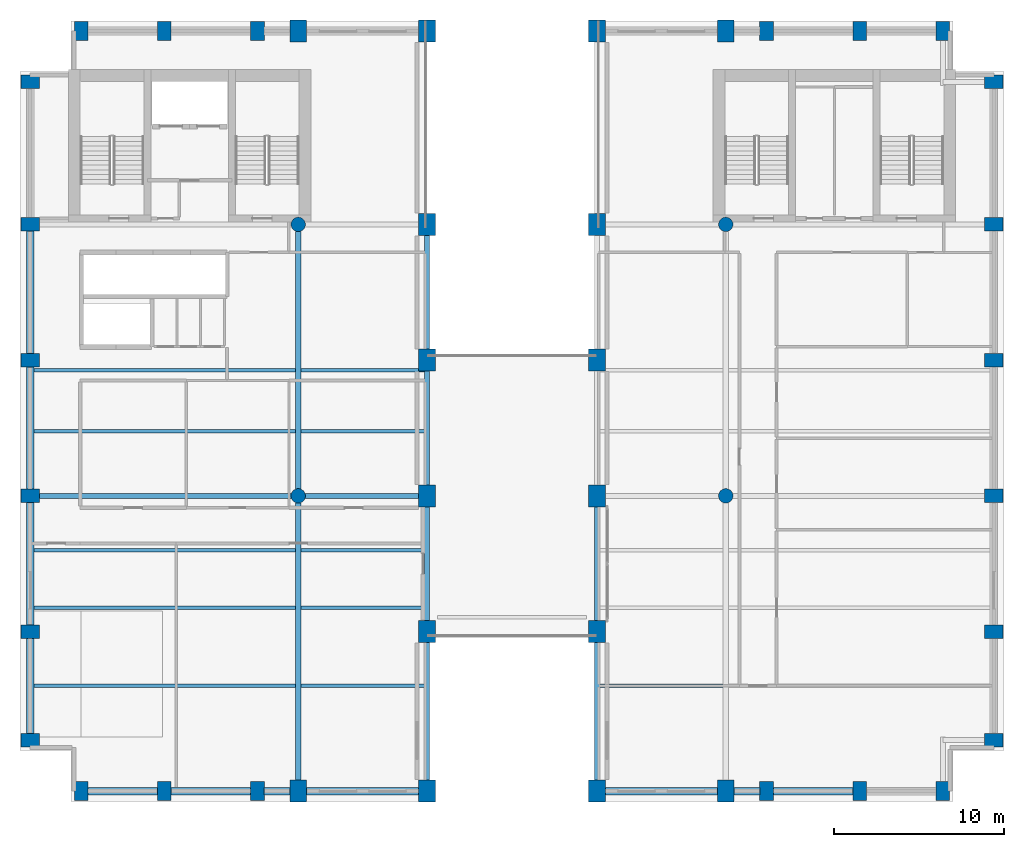
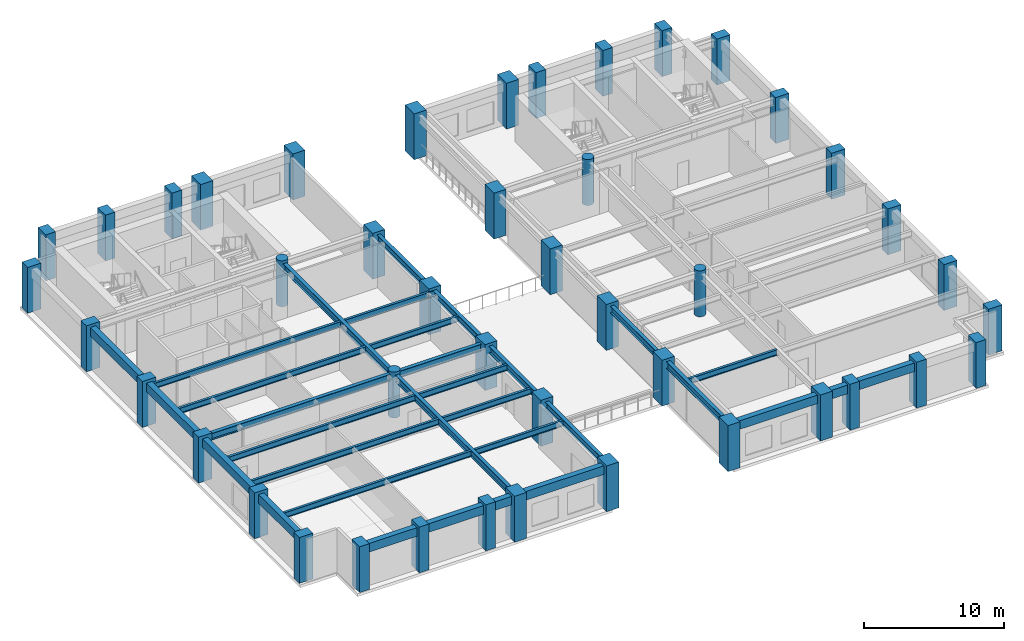
# One storey, part 1 of 10: 44 columns, 29 beams.
"""IFC4 building model written with IfcOpenShell, lengths in metres."""

import ifcopenshell
import ifcopenshell.guid

model = None  # the IFC model being written
_history = None  # IfcOwnerHistory: only IFC2X3 demands one
_inside = {}  # id of a spatial element -> (the spatial element, [elements in it])
_under = {}  # id of a project, library or spatial element -> (it, [spatial elements below it])
_declared = {}  # id of a project -> (the project, [libraries it declares])
_typed = {}  # id of a type object -> (the type object, [elements of that type])
_made_of = {}  # id of a material, layer set ... -> (it, [elements and type objects made of it])


def new_model(schema):
    """Start an empty IFC model of exactly this schema.

    Asked for "IFC4X3", IfcOpenShell would pick the latest addendum, in which some entities
    have other attributes; the version numbers below select the first issue.
    IFC2X3 requires an IfcOwnerHistory on every rooted entity: one is made here for all.
    """
    global model, _history
    if schema == "IFC4X3":
        model = ifcopenshell.file(schema_version=(4, 3, 0, 0))
    else:
        model = ifcopenshell.file(schema=schema)
    _inside.clear()
    _under.clear()
    _declared.clear()
    _typed.clear()
    _made_of.clear()
    _history = None
    if model.schema == "IFC2X3":
        org = make("IfcOrganization", Name="unknown")
        user = make(
            "IfcPersonAndOrganization",
            ThePerson=make("IfcPerson", FamilyName="unknown"),
            TheOrganization=org,
        )
        app = make(
            "IfcApplication",
            ApplicationDeveloper=org,
            Version="unknown",
            ApplicationFullName="unknown",
            ApplicationIdentifier="unknown",
        )
        _history = make(
            "IfcOwnerHistory",
            OwningUser=user,
            OwningApplication=app,
            ChangeAction="ADDED",
            CreationDate=0,
        )
    return model


def make(cls, **values):
    """One entity of the class cls with the attributes given. An attribute that is None is left unset."""
    return model.create_entity(
        cls, **{name: value for name, value in values.items() if value is not None}
    )


def rooted(cls, **values):
    """An entity with a GlobalId (a new one), such as an element, a storey or a relation."""
    return make(cls, GlobalId=ifcopenshell.guid.new(), OwnerHistory=_history, **values)


def si_unit(unit_type, name, prefix=None):
    """IfcSIUnit, for example si_unit("LENGTHUNIT", "METRE", prefix="MILLI")."""
    return make("IfcSIUnit", UnitType=unit_type, Prefix=prefix, Name=name)


def assignment(units):
    """IfcUnitAssignment: the units of a project."""
    return None if units is None else make("IfcUnitAssignment", Units=units)


def point(xyz):
    """IfcCartesianPoint."""
    return None if xyz is None else make("IfcCartesianPoint", Coordinates=xyz)


def direction(xyz):
    """IfcDirection."""
    return None if xyz is None else make("IfcDirection", DirectionRatios=xyz)


def frame(location, z_axis=None, x_axis=None):
    """IfcAxis2Placement3D, a coordinate frame: its origin and axes. An axis left out is left unset."""
    return make(
        "IfcAxis2Placement3D",
        Location=point(location),
        Axis=direction(z_axis),
        RefDirection=direction(x_axis),
    )


def frame_2d(location, x_axis=None):
    """IfcAxis2Placement2D, a coordinate frame in the plane: its origin and x axis."""
    return make(
        "IfcAxis2Placement2D", Location=point(location), RefDirection=direction(x_axis)
    )


def origin():
    """The frame at (0, 0, 0) with its axes left unset."""
    return frame((0.0, 0.0, 0.0))


def origin_2d():
    """The frame at (0, 0) in the plane with its x axis left unset."""
    return frame_2d((0.0, 0.0))


def place(relative_to, where):
    """IfcLocalPlacement: puts the frame where relative to a parent placement (None: the world)."""
    return make(
        "IfcLocalPlacement", PlacementRelTo=relative_to, RelativePlacement=where
    )


def context(
    kind, dimensions, precision=None, world=None, true_north=None, identifier=None
):
    """IfcGeometricRepresentationContext, for example the 3D "Model" context."""
    return make(
        "IfcGeometricRepresentationContext",
        ContextIdentifier=identifier,
        ContextType=kind,
        CoordinateSpaceDimension=dimensions,
        Precision=precision,
        WorldCoordinateSystem=world,
        TrueNorth=true_north,
    )


def subcontext(parent, identifier, kind, view, scale=None):
    """IfcGeometricRepresentationSubContext, for example "Body" below "Model"."""
    return make(
        "IfcGeometricRepresentationSubContext",
        ContextIdentifier=identifier,
        ContextType=kind,
        ParentContext=parent,
        TargetScale=scale,
        TargetView=view,
    )


def project(units=None, contexts=None):
    """IfcProject with its units and contexts."""
    return rooted(
        "IfcProject",
        Name="project",
        RepresentationContexts=contexts,
        UnitsInContext=assignment(units),
    )


def spatial(cls, under=None, at=None, **own):
    """A site, building, storey or space (cls), placed at a placement, below another one or the project."""
    s = rooted(cls, ObjectPlacement=at, **own)
    if under is not None:
        _under.setdefault(under.id(), (under, []))[1].append(s)
    return s


def profile(cls, at=None, kind="AREA", **sizes):
    """A parametric profile (cls). Its sizes go by their IFC names, for example OverallWidth=200.0."""
    return make(cls, ProfileType=kind, Position=at, **sizes)


def rectangle(**sizes):
    """IfcRectangleProfileDef."""
    return profile("IfcRectangleProfileDef", **sizes)


def circle(**sizes):
    """IfcCircleProfileDef."""
    return profile("IfcCircleProfileDef", **sizes)


def i_section(**sizes):
    """IfcIShapeProfileDef."""
    return profile("IfcIShapeProfileDef", **sizes)


def extrude(swept, where, along, depth):
    """IfcExtrudedAreaSolid: the profile swept, set in the frame where, extruded along a direction by depth."""
    return make(
        "IfcExtrudedAreaSolid",
        SweptArea=swept,
        Position=where,
        ExtrudedDirection=direction(along),
        Depth=depth,
    )


def shape(context_of_items, identifier, shape_type, items):
    """IfcShapeRepresentation: the items that make up one representation, for example the "Body"."""
    return make(
        "IfcShapeRepresentation",
        ContextOfItems=context_of_items,
        RepresentationIdentifier=identifier,
        RepresentationType=shape_type,
        Items=items,
    )


def material(Name=None, Category=None):
    """IfcMaterial."""
    return make("IfcMaterial", Name=Name, Category=Category)


def material_profile(
    of_material, cross_section, Name=None, Category=None, Priority=None
):
    """IfcMaterialProfile: a cross section and its material."""
    return make(
        "IfcMaterialProfile",
        Name=Name,
        Material=of_material,
        Profile=cross_section,
        Priority=Priority,
        Category=Category,
    )


def profile_set(profiles, Name=None, composite=None):
    """IfcMaterialProfileSet."""
    return make(
        "IfcMaterialProfileSet",
        Name=Name,
        MaterialProfiles=profiles,
        CompositeProfile=composite,
    )


def made_of(thing, what):
    """Note that an element or type object is made of a material, layer set ...; save() writes the relation."""
    if what is not None:
        _made_of.setdefault(what.id(), (what, []))[1].append(thing)
    return thing


def type_object(cls, material=None, **own):
    """A type object (cls), such as IfcWallType, which elements share."""
    return made_of(rooted(cls, **own), material)


def element(
    cls,
    number,
    at=None,
    inside=None,
    cuts=None,
    type_object=None,
    material=None,
    context=None,
    identifier="Body",
    shape_type=None,
    held_by="IfcProductDefinitionShape",
    body=None,
    shapes=None,
    **own,
):
    """One element of the class cls, such as IfcWall. Its Tag is "e" and its number.

    at: its placement. inside: the storey or other place that contains it. cuts: it is an
    opening in that element (IfcRelVoidsElement). A single representation is given by context,
    identifier, shape_type and body (its items); several are given by shapes. held_by: the class
    of the entity that holds the representations. save() writes the other relations.
    """
    e = rooted(cls, Tag="e%d" % number, ObjectPlacement=at, **own)
    if body is not None:
        shapes = [shape(context, identifier, shape_type, body)]
    if shapes is not None:
        e.Representation = make(held_by, Representations=shapes)
    if inside is not None:
        _inside.setdefault(inside.id(), (inside, []))[1].append(e)
    if cuts is not None:
        rooted(
            "IfcRelVoidsElement", RelatingBuildingElement=cuts, RelatedOpeningElement=e
        )
    if type_object is not None:
        _typed.setdefault(type_object.id(), (type_object, []))[1].append(e)
    return made_of(e, material)


def aggregate(whole, parts):
    """IfcRelAggregates: a whole, such as a stair, and the parts it consists of."""
    return rooted("IfcRelAggregates", RelatingObject=whole, RelatedObjects=parts)


def save(model, path):
    """Write the relations noted so far, then the file.

    IfcRelAggregates (storeys below a building ...), IfcRelContainedInSpatialStructure (elements
    in a storey), IfcRelDefinesByType, IfcRelAssociatesMaterial and IfcRelDeclares: one each for
    every whole, place, type object, material and project.
    """
    for whole, parts in _under.values():
        aggregate(whole, parts)
    for where, things in _inside.values():
        rooted(
            "IfcRelContainedInSpatialStructure",
            RelatedElements=things,
            RelatingStructure=where,
        )
    for kind, things in _typed.values():
        rooted("IfcRelDefinesByType", RelatedObjects=things, RelatingType=kind)
    for what, things in _made_of.values():
        rooted("IfcRelAssociatesMaterial", RelatedObjects=things, RelatingMaterial=what)
    for by, libraries in _declared.values():
        rooted("IfcRelDeclares", RelatingContext=by, RelatedDefinitions=libraries)
    model.write(path)


model = new_model("IFC4")

# Units and contexts
model_context = context("Model", 3, precision=1e-05, world=origin(), true_north=direction((0.0, 1.0)))
body_context = subcontext(model_context, "Body", "Model", "MODEL_VIEW")
ifc_project = project(units=[si_unit("LENGTHUNIT", "METRE"), si_unit("AREAUNIT", "SQUARE_METRE"), si_unit("VOLUMEUNIT", "CUBIC_METRE"), si_unit("PLANEANGLEUNIT", "RADIAN"), si_unit("MASSUNIT", "GRAM", prefix="KILO")], contexts=[model_context])

# Site, building, storey
site_placement = place(None, origin())
site = spatial("IfcSite", under=ifc_project, at=site_placement, CompositionType="ELEMENT")
building_placement = place(site_placement, origin())
building = spatial("IfcBuilding", under=site, at=building_placement, Name="Sulina Concourse Tower", CompositionType="ELEMENT")
storey_placement = place(building_placement, frame((0.0, 0.0, 182.60009765625)))
storey = spatial("IfcBuildingStorey", under=building, at=storey_placement, Name="L44", CompositionType="ELEMENT", Elevation=182.60009765625)

# Columns
ifc_material_1 = material(Name="Precast concrete C60/75", Category="concrete")
ifc_material_profile_1 = material_profile(ifc_material_1, rectangle(XDim=0.800048828125, YDim=1.10009765625, at=origin_2d()), Name="PC 800x1100")
ifc_profile_set_1 = profile_set([ifc_material_profile_1], Name="Precast concrete C60/75")
column_type_1 = type_object("IfcColumnType", Name="Precast Tube Pier Zone 3 800x1100", PredefinedType="COLUMN", material=ifc_profile_set_1)
for number, where, z_axis, x_axis, name in (
    (1, (3.60009765625, 0.60009765625, 0.0), (0.0, 0.0, 1.0), (1.0, 0.0, 0.0), "L44 structural column TP-S-36"),
    (2, (3.60009765625, 45.39990234375, 0.0), (0.0, 0.0, 1.0), (1.0, 0.0, 0.0), "L44 structural column TP-N-36"),
    (3, (8.5, 0.60009765625, 0.0), (0.0, 0.0, 1.0), (1.0, 0.0, 0.0), "L44 structural column TP-S-85"),
    (4, (8.5, 45.39990234375, 0.0), (0.0, 0.0, 1.0), (1.0, 0.0, 0.0), "L44 structural column TP-N-85"),
    (5, (14.0, 0.60009765625, 0.0), (0.0, 0.0, 1.0), (1.0, 0.0, 0.0), "L44 structural column TP-S-140"),
    (6, (14.0, 45.39990234375, 0.0), (0.0, 0.0, 1.0), (1.0, 0.0, 0.0), "L44 structural column TP-N-140"),
    (7, (44.0, 0.60009765625, 0.0), (0.0, 0.0, 1.0), (1.0, 0.0, 0.0), "L44 structural column TP-S-440"),
    (8, (44.0, 45.39990234375, 0.0), (0.0, 0.0, 1.0), (1.0, 0.0, 0.0), "L44 structural column TP-N-440"),
    (9, (49.5, 0.60009765625, 0.0), (0.0, 0.0, 1.0), (1.0, 0.0, 0.0), "L44 structural column TP-S-495"),
    (10, (49.5, 45.39990234375, 0.0), (0.0, 0.0, 1.0), (1.0, 0.0, 0.0), "L44 structural column TP-N-495"),
    (11, (54.39990234375, 0.60009765625, 0.0), (0.0, 0.0, 1.0), (1.0, 0.0, 0.0), "L44 structural column TP-S-544"),
    (12, (54.39990234375, 45.39990234375, 0.0), (0.0, 0.0, 1.0), (1.0, 0.0, 0.0), "L44 structural column TP-N-544"),
    (13, (0.60009765625, 3.60009765625, 0.0), (0.0, 0.0, 1.0), (0.0, 1.0, 0.0), "L44 structural column TP-W-36"),
    (14, (57.39990234375, 3.60009765625, 0.0), (0.0, 0.0, 1.0), (0.0, 1.0, 0.0), "L44 structural column TP-E-36"),
    (15, (0.60009765625, 10.0, 0.0), (0.0, 0.0, 1.0), (0.0, 1.0, 0.0), "L44 structural column TP-W-100"),
    (16, (57.39990234375, 10.0, 0.0), (0.0, 0.0, 1.0), (0.0, 1.0, 0.0), "L44 structural column TP-E-100"),
    (17, (0.60009765625, 18.0, 0.0), (0.0, 0.0, 1.0), (0.0, 1.0, 0.0), "L44 structural column TP-W-180"),
    (18, (57.39990234375, 18.0, 0.0), (0.0, 0.0, 1.0), (0.0, 1.0, 0.0), "L44 structural column TP-E-180"),
    (19, (0.60009765625, 26.0, 0.0), (0.0, 0.0, 1.0), (0.0, 1.0, 0.0), "L44 structural column TP-W-260"),
    (20, (57.39990234375, 26.0, 0.0), (0.0, 0.0, 1.0), (0.0, 1.0, 0.0), "L44 structural column TP-E-260"),
    (21, (0.60009765625, 34.0, 0.0), (0.0, 0.0, 1.0), (0.0, 1.0, 0.0), "L44 structural column TP-W-340"),
    (22, (57.39990234375, 34.0, 0.0), (0.0, 0.0, 1.0), (0.0, 1.0, 0.0), "L44 structural column TP-E-340"),
    (23, (0.60009765625, 42.39990234375, 0.0), (0.0, 0.0, 1.0), (0.0, 1.0, 0.0), "L44 structural column TP-W-424"),
    (24, (57.39990234375, 42.39990234375, 0.0), (0.0, 0.0, 1.0), (0.0, 1.0, 0.0), "L44 structural column TP-E-424"),
):
    element("IfcColumn", number, at=place(storey_placement, frame(where, z_axis=z_axis, x_axis=x_axis)), inside=storey, type_object=column_type_1, Name=name, PredefinedType="COLUMN", context=body_context, shape_type="SweptSolid", body=[
        extrude(rectangle(XDim=0.800048828125, YDim=1.10009765625, at=origin_2d()), origin(), (0.0, 0.0, 1.0), 4.0),
    ])
ifc_material_2 = material(Name="Concrete C50/60", Category="concrete")
ifc_material_profile_2 = material_profile(ifc_material_2, circle(Radius=0.425048828125, at=origin_2d()), Name="RC D850")
ifc_profile_set_2 = profile_set([ifc_material_profile_2], Name="Concrete C50/60")
column_type_2 = type_object("IfcColumnType", Name="Upper Interior Circular Column D850", PredefinedType="COLUMN", material=ifc_profile_set_2)
for number, where, z_axis, x_axis, name in (
    (25, (16.39990234375, 18.0, 0.0), (0.0, 0.0, 1.0), (1.0, 0.0, 0.0), "L44 structural column IC-M-164"),
    (26, (16.39990234375, 34.0, 0.0), (0.0, 0.0, 1.0), (1.0, 0.0, 0.0), "L44 structural column IC-N-164"),
    (27, (41.60009765625, 18.0, 0.0), (0.0, 0.0, 1.0), (1.0, 0.0, 0.0), "L44 structural column IC-M-416"),
    (28, (41.60009765625, 34.0, 0.0), (0.0, 0.0, 1.0), (1.0, 0.0, 0.0), "L44 structural column IC-N-416"),
):
    element("IfcColumn", number, at=place(storey_placement, frame(where, z_axis=z_axis, x_axis=x_axis)), inside=storey, type_object=column_type_2, Name=name, PredefinedType="COLUMN", context=body_context, shape_type="SweptSolid", body=[
        extrude(circle(Radius=0.425048828125, at=origin_2d()), origin(), (0.0, 0.0, 1.0), 4.0),
    ])
ifc_material_3 = material(Name="Concrete C60/75", Category="concrete")
ifc_material_profile_3 = material_profile(ifc_material_3, rectangle(XDim=1.0, YDim=1.300048828125, at=origin_2d()), Name="RC 1000x1300")
ifc_profile_set_3 = profile_set([ifc_material_profile_3], Name="Concrete C60/75")
column_type_3 = type_object("IfcColumnType", Name="Upper Portal Column 1000x1300", PredefinedType="COLUMN", material=ifc_profile_set_3)
for number, where, z_axis, x_axis, name in (
    (29, (16.39990234375, 0.60009765625, 0.0), (0.0, 0.0, 1.0), (1.0, 0.0, 0.0), "L44 structural column TP-S-164"),
    (30, (16.39990234375, 45.39990234375, 0.0), (0.0, 0.0, 1.0), (1.0, 0.0, 0.0), "L44 structural column TP-N-164"),
    (31, (24.0, 0.60009765625, 0.0), (0.0, 0.0, 1.0), (1.0, 0.0, 0.0), "L44 structural column TP-S-240"),
    (32, (24.0, 45.39990234375, 0.0), (0.0, 0.0, 1.0), (1.0, 0.0, 0.0), "L44 structural column TP-N-240"),
    (33, (34.0, 0.60009765625, 0.0), (0.0, 0.0, 1.0), (1.0, 0.0, 0.0), "L44 structural column TP-S-340"),
    (34, (34.0, 45.39990234375, 0.0), (0.0, 0.0, 1.0), (1.0, 0.0, 0.0), "L44 structural column TP-N-340"),
    (35, (41.60009765625, 0.60009765625, 0.0), (0.0, 0.0, 1.0), (1.0, 0.0, 0.0), "L44 structural column TP-S-416"),
    (36, (41.60009765625, 45.39990234375, 0.0), (0.0, 0.0, 1.0), (1.0, 0.0, 0.0), "L44 structural column TP-N-416"),
    (37, (24.0, 10.0, 0.0), (0.0, 0.0, 1.0), (1.0, 0.0, 0.0), "L44 structural column UP-FW-10"),
    (38, (34.0, 10.0, 0.0), (0.0, 0.0, 1.0), (1.0, 0.0, 0.0), "L44 structural column UP-FE-10"),
    (39, (24.0, 18.0, 0.0), (0.0, 0.0, 1.0), (1.0, 0.0, 0.0), "L44 structural column UP-FW-18"),
    (40, (34.0, 18.0, 0.0), (0.0, 0.0, 1.0), (1.0, 0.0, 0.0), "L44 structural column UP-FE-18"),
    (41, (24.0, 26.0, 0.0), (0.0, 0.0, 1.0), (1.0, 0.0, 0.0), "L44 structural column UP-FW-26"),
    (42, (34.0, 26.0, 0.0), (0.0, 0.0, 1.0), (1.0, 0.0, 0.0), "L44 structural column UP-FE-26"),
    (43, (24.0, 34.0, 0.0), (0.0, 0.0, 1.0), (1.0, 0.0, 0.0), "L44 structural column UP-FW-34"),
    (44, (34.0, 34.0, 0.0), (0.0, 0.0, 1.0), (1.0, 0.0, 0.0), "L44 structural column UP-FE-34"),
):
    element("IfcColumn", number, at=place(storey_placement, frame(where, z_axis=z_axis, x_axis=x_axis)), inside=storey, type_object=column_type_3, Name=name, PredefinedType="COLUMN", context=body_context, shape_type="SweptSolid", body=[
        extrude(rectangle(XDim=1.0, YDim=1.300048828125, at=origin_2d()), origin(), (0.0, 0.0, 1.0), 4.0),
    ])

# Beams
ifc_material_4 = material(Name="Steel S355", Category="steel")
ifc_material_profile_4 = material_profile(ifc_material_4, i_section(OverallWidth=0.199951171875, OverallDepth=0.5, WebThickness=0.01025390625, FlangeThickness=0.01611328125, at=origin_2d()), Name="IPE 500")
ifc_profile_set_4 = profile_set([ifc_material_profile_4], Name="Steel S355")
beam_type_1 = type_object("IfcBeamType", Name="Composite Floor Joist IPE500", PredefinedType="JOIST", material=ifc_profile_set_4)
beam_1_placement = place(storey_placement, frame((0.824951171875, 6.800048828125, 3.5), z_axis=(1.0, 0.0, 0.0), x_axis=(0.0, 1.0, 0.0)))
element("IfcBeam", 45, at=beam_1_placement, inside=storey, type_object=beam_type_1, Name="FJ-J06-1-L44", PredefinedType="JOIST", context=body_context, shape_type="SweptSolid", body=[
    extrude(i_section(OverallWidth=0.199951171875, OverallDepth=0.5, WebThickness=0.01025390625, FlangeThickness=0.01611328125, at=origin_2d()), origin(), (0.0, 0.0, 1.0), 15.425048828125),
])
for number, where, z_axis, x_axis, name in (
    (46, (16.550048828125, 6.800048828125, 3.5), (1.0, 0.0, 0.0), (0.0, 1.0, 0.0), "FJ-J06-2-L44"),
    (47, (34.14990234375, 6.800048828125, 3.5), (1.0, 0.0, 0.0), (0.0, 1.0, 0.0), "FJ-J06-4-L44"),
):
    element("IfcBeam", number, at=place(storey_placement, frame(where, z_axis=z_axis, x_axis=x_axis)), inside=storey, type_object=beam_type_1, Name=name, PredefinedType="JOIST", context=body_context, shape_type="SweptSolid", body=[
        extrude(i_section(OverallWidth=0.199951171875, OverallDepth=0.5, WebThickness=0.01025390625, FlangeThickness=0.01611328125, at=origin_2d()), origin(), (0.0, 0.0, 1.0), 7.300048828125),
    ])
beam_2_placement = place(storey_placement, frame((0.824951171875, 11.39990234375, 3.5), z_axis=(1.0, 0.0, 0.0), x_axis=(0.0, 1.0, 0.0)))
element("IfcBeam", 48, at=beam_2_placement, inside=storey, type_object=beam_type_1, Name="FJ-J11-1-L44", PredefinedType="JOIST", context=body_context, shape_type="SweptSolid", body=[
    extrude(i_section(OverallWidth=0.199951171875, OverallDepth=0.5, WebThickness=0.01025390625, FlangeThickness=0.01611328125, at=origin_2d()), origin(), (0.0, 0.0, 1.0), 15.425048828125),
])
beam_3_placement = place(storey_placement, frame((16.550048828125, 11.39990234375, 3.5), z_axis=(1.0, 0.0, 0.0), x_axis=(0.0, 1.0, 0.0)))
element("IfcBeam", 49, at=beam_3_placement, inside=storey, type_object=beam_type_1, Name="FJ-J11-2-L44", PredefinedType="JOIST", context=body_context, shape_type="SweptSolid", body=[
    extrude(i_section(OverallWidth=0.199951171875, OverallDepth=0.5, WebThickness=0.01025390625, FlangeThickness=0.01611328125, at=origin_2d()), origin(), (0.0, 0.0, 1.0), 7.300048828125),
])
beam_4_placement = place(storey_placement, frame((0.824951171875, 14.800048828125, 3.5), z_axis=(1.0, 0.0, 0.0), x_axis=(0.0, 1.0, 0.0)))
element("IfcBeam", 50, at=beam_4_placement, inside=storey, type_object=beam_type_1, Name="FJ-J15-1-L44", PredefinedType="JOIST", context=body_context, shape_type="SweptSolid", body=[
    extrude(i_section(OverallWidth=0.199951171875, OverallDepth=0.5, WebThickness=0.01025390625, FlangeThickness=0.01611328125, at=origin_2d()), origin(), (0.0, 0.0, 1.0), 15.425048828125),
])
beam_5_placement = place(storey_placement, frame((16.550048828125, 14.800048828125, 3.5), z_axis=(1.0, 0.0, 0.0), x_axis=(0.0, 1.0, 0.0)))
element("IfcBeam", 51, at=beam_5_placement, inside=storey, type_object=beam_type_1, Name="FJ-J15-2-L44", PredefinedType="JOIST", context=body_context, shape_type="SweptSolid", body=[
    extrude(i_section(OverallWidth=0.199951171875, OverallDepth=0.5, WebThickness=0.01025390625, FlangeThickness=0.01611328125, at=origin_2d()), origin(), (0.0, 0.0, 1.0), 7.300048828125),
])
beam_6_placement = place(storey_placement, frame((0.824951171875, 21.800048828125, 3.5), z_axis=(1.0, 0.0, 0.0), x_axis=(0.0, 1.0, 0.0)))
element("IfcBeam", 52, at=beam_6_placement, inside=storey, type_object=beam_type_1, Name="FJ-J22-1-L44", PredefinedType="JOIST", context=body_context, shape_type="SweptSolid", body=[
    extrude(i_section(OverallWidth=0.199951171875, OverallDepth=0.5, WebThickness=0.01025390625, FlangeThickness=0.01611328125, at=origin_2d()), origin(), (0.0, 0.0, 1.0), 15.425048828125),
])
beam_7_placement = place(storey_placement, frame((16.550048828125, 21.800048828125, 3.5), z_axis=(1.0, 0.0, 0.0), x_axis=(0.0, 1.0, 0.0)))
element("IfcBeam", 53, at=beam_7_placement, inside=storey, type_object=beam_type_1, Name="FJ-J22-2-L44", PredefinedType="JOIST", context=body_context, shape_type="SweptSolid", body=[
    extrude(i_section(OverallWidth=0.199951171875, OverallDepth=0.5, WebThickness=0.01025390625, FlangeThickness=0.01611328125, at=origin_2d()), origin(), (0.0, 0.0, 1.0), 7.300048828125),
])
beam_8_placement = place(storey_placement, frame((0.824951171875, 25.39990234375, 3.5), z_axis=(1.0, 0.0, 0.0), x_axis=(0.0, 1.0, 0.0)))
element("IfcBeam", 54, at=beam_8_placement, inside=storey, type_object=beam_type_1, Name="FJ-J25-1-L44", PredefinedType="JOIST", context=body_context, shape_type="SweptSolid", body=[
    extrude(i_section(OverallWidth=0.199951171875, OverallDepth=0.5, WebThickness=0.01025390625, FlangeThickness=0.01611328125, at=origin_2d()), origin(), (0.0, 0.0, 1.0), 15.425048828125),
])
beam_9_placement = place(storey_placement, frame((16.550048828125, 25.39990234375, 3.5), z_axis=(1.0, 0.0, 0.0), x_axis=(0.0, 1.0, 0.0)))
element("IfcBeam", 55, at=beam_9_placement, inside=storey, type_object=beam_type_1, Name="FJ-J25-2-L44", PredefinedType="JOIST", context=body_context, shape_type="SweptSolid", body=[
    extrude(i_section(OverallWidth=0.199951171875, OverallDepth=0.5, WebThickness=0.01025390625, FlangeThickness=0.01611328125, at=origin_2d()), origin(), (0.0, 0.0, 1.0), 7.300048828125),
])
ifc_material_5 = material(Name="Steel S355", Category="steel")
ifc_material_profile_5 = material_profile(ifc_material_5, i_section(OverallWidth=0.300048828125, OverallDepth=0.60009765625, WebThickness=0.015380859375, FlangeThickness=0.030029296875, at=origin_2d()), Name="HE 600 B")
ifc_profile_set_5 = profile_set([ifc_material_profile_5], Name="Steel S355")
beam_type_2 = type_object("IfcBeamType", Name="Floor Primary Girder Zone 3 HE600B", PredefinedType="BEAM", material=ifc_profile_set_5)
beam_10_placement = place(storey_placement, frame((0.97998046875, 18.0, 3.449951171875), z_axis=(1.0, 0.0, 0.0), x_axis=(0.0, 1.0, 0.0)))
element("IfcBeam", 56, at=beam_10_placement, inside=storey, type_object=beam_type_2, Name="FG-EW1-L44", PredefinedType="BEAM", context=body_context, shape_type="SweptSolid", body=[
    extrude(i_section(OverallWidth=0.300048828125, OverallDepth=0.60009765625, WebThickness=0.015380859375, FlangeThickness=0.030029296875, at=origin_2d()), origin(), (0.0, 0.0, 1.0), 15.01513671875),
])
beam_11_placement = place(storey_placement, frame((16.804931640625, 18.0, 3.449951171875), z_axis=(1.0, 0.0, 0.0), x_axis=(0.0, 1.0, 0.0)))
element("IfcBeam", 57, at=beam_11_placement, inside=storey, type_object=beam_type_2, Name="FG-EW2-L44", PredefinedType="BEAM", context=body_context, shape_type="SweptSolid", body=[
    extrude(i_section(OverallWidth=0.300048828125, OverallDepth=0.60009765625, WebThickness=0.015380859375, FlangeThickness=0.030029296875, at=origin_2d()), origin(), (0.0, 0.0, 1.0), 6.715087890625),
])
beam_12_placement = place(storey_placement, frame((16.39990234375, 1.080078125, 3.449951171875), z_axis=(0.0, 1.0, 0.0), x_axis=(-1.0, 0.0, 0.0)))
element("IfcBeam", 58, at=beam_12_placement, inside=storey, type_object=beam_type_2, Name="FG-NSA-16-L44", PredefinedType="BEAM", context=body_context, shape_type="SweptSolid", body=[
    extrude(i_section(OverallWidth=0.300048828125, OverallDepth=0.60009765625, WebThickness=0.015380859375, FlangeThickness=0.030029296875, at=origin_2d()), origin(), (0.0, 0.0, 1.0), 16.514892578125),
])
beam_13_placement = place(storey_placement, frame((16.39990234375, 18.405029296875, 3.449951171875), z_axis=(0.0, 1.0, 0.0), x_axis=(-1.0, 0.0, 0.0)))
element("IfcBeam", 59, at=beam_13_placement, inside=storey, type_object=beam_type_2, Name="FG-NSB-16-L44", PredefinedType="BEAM", context=body_context, shape_type="SweptSolid", body=[
    extrude(i_section(OverallWidth=0.300048828125, OverallDepth=0.60009765625, WebThickness=0.015380859375, FlangeThickness=0.030029296875, at=origin_2d()), origin(), (0.0, 0.0, 1.0), 15.18994140625),
])
beam_14_placement = place(storey_placement, frame((24.0, 1.080078125, 3.449951171875), z_axis=(0.0, 1.0, 0.0), x_axis=(-1.0, 0.0, 0.0)))
element("IfcBeam", 60, at=beam_14_placement, inside=storey, type_object=beam_type_2, Name="FG-NSA-24-L44", PredefinedType="BEAM", context=body_context, shape_type="SweptSolid", body=[
    extrude(i_section(OverallWidth=0.300048828125, OverallDepth=0.60009765625, WebThickness=0.015380859375, FlangeThickness=0.030029296875, at=origin_2d()), origin(), (0.0, 0.0, 1.0), 16.43994140625),
])
beam_15_placement = place(storey_placement, frame((24.0, 18.47998046875, 3.449951171875), z_axis=(0.0, 1.0, 0.0), x_axis=(-1.0, 0.0, 0.0)))
element("IfcBeam", 61, at=beam_15_placement, inside=storey, type_object=beam_type_2, Name="FG-NSB-24-L44", PredefinedType="BEAM", context=body_context, shape_type="SweptSolid", body=[
    extrude(i_section(OverallWidth=0.300048828125, OverallDepth=0.60009765625, WebThickness=0.015380859375, FlangeThickness=0.030029296875, at=origin_2d()), origin(), (0.0, 0.0, 1.0), 15.0400390625),
])
beam_16_placement = place(storey_placement, frame((34.0, 1.080078125, 3.449951171875), z_axis=(0.0, 1.0, 0.0), x_axis=(-1.0, 0.0, 0.0)))
element("IfcBeam", 62, at=beam_16_placement, inside=storey, type_object=beam_type_2, Name="FG-NSA-34-L44", PredefinedType="BEAM", context=body_context, shape_type="SweptSolid", body=[
    extrude(i_section(OverallWidth=0.300048828125, OverallDepth=0.60009765625, WebThickness=0.015380859375, FlangeThickness=0.030029296875, at=origin_2d()), origin(), (0.0, 0.0, 1.0), 16.43994140625),
])
ifc_material_6 = material(Name="Precast concrete C50/60", Category="concrete")
ifc_material_profile_6 = material_profile(ifc_material_6, rectangle(XDim=0.449951171875, YDim=0.75, at=origin_2d()), Name="RC 450x750")
ifc_profile_set_6 = profile_set([ifc_material_profile_6], Name="Precast concrete C50/60")
beam_type_3 = type_object("IfcBeamType", Name="Upper Precast Spandrel Edge Beam 450x750", PredefinedType="BEAM", material=ifc_profile_set_6)
beam_17_placement = place(storey_placement, frame((3.97998046875, 0.60009765625, 3.375), z_axis=(1.0, 0.0, 0.0), x_axis=(0.0, 1.0, 0.0)))
element("IfcBeam", 63, at=beam_17_placement, inside=storey, type_object=beam_type_3, Name="SP-S1-L44", PredefinedType="BEAM", context=body_context, shape_type="SweptSolid", body=[
    extrude(rectangle(XDim=0.449951171875, YDim=0.75, at=origin_2d()), origin(), (0.0, 0.0, 1.0), 4.14013671875),
])
beam_18_placement = place(storey_placement, frame((8.8798828125, 0.60009765625, 3.375), z_axis=(1.0, 0.0, 0.0), x_axis=(0.0, 1.0, 0.0)))
element("IfcBeam", 64, at=beam_18_placement, inside=storey, type_object=beam_type_3, Name="SP-S2-L44", PredefinedType="BEAM", context=body_context, shape_type="SweptSolid", body=[
    extrude(rectangle(XDim=0.449951171875, YDim=0.75, at=origin_2d()), origin(), (0.0, 0.0, 1.0), 4.740234375),
])
beam_19_placement = place(storey_placement, frame((14.3798828125, 0.60009765625, 3.375), z_axis=(1.0, 0.0, 0.0), x_axis=(0.0, 1.0, 0.0)))
element("IfcBeam", 65, at=beam_19_placement, inside=storey, type_object=beam_type_3, Name="SP-S3-L44", PredefinedType="BEAM", context=body_context, shape_type="SweptSolid", body=[
    extrude(rectangle(XDim=0.449951171875, YDim=0.75, at=origin_2d()), origin(), (0.0, 0.0, 1.0), 1.5400390625),
])
for number, where, z_axis, x_axis, name in (
    (66, (16.8798828125, 0.60009765625, 3.375), (1.0, 0.0, 0.0), (0.0, 1.0, 0.0), "SP-S4-L44"),
    (67, (34.47998046875, 0.60009765625, 3.375), (1.0, 0.0, 0.0), (0.0, 1.0, 0.0), "SP-S6-L44"),
):
    element("IfcBeam", number, at=place(storey_placement, frame(where, z_axis=z_axis, x_axis=x_axis)), inside=storey, type_object=beam_type_3, Name=name, PredefinedType="BEAM", context=body_context, shape_type="SweptSolid", body=[
        extrude(rectangle(XDim=0.449951171875, YDim=0.75, at=origin_2d()), origin(), (0.0, 0.0, 1.0), 6.64013671875),
    ])
beam_20_placement = place(storey_placement, frame((42.080078125, 0.60009765625, 3.375), z_axis=(1.0, 0.0, 0.0), x_axis=(0.0, 1.0, 0.0)))
element("IfcBeam", 68, at=beam_20_placement, inside=storey, type_object=beam_type_3, Name="SP-S7-L44", PredefinedType="BEAM", context=body_context, shape_type="SweptSolid", body=[
    extrude(rectangle(XDim=0.449951171875, YDim=0.75, at=origin_2d()), origin(), (0.0, 0.0, 1.0), 1.5400390625),
])
beam_21_placement = place(storey_placement, frame((44.3798828125, 0.60009765625, 3.375), z_axis=(1.0, 0.0, 0.0), x_axis=(0.0, 1.0, 0.0)))
element("IfcBeam", 69, at=beam_21_placement, inside=storey, type_object=beam_type_3, Name="SP-S8-L44", PredefinedType="BEAM", context=body_context, shape_type="SweptSolid", body=[
    extrude(rectangle(XDim=0.449951171875, YDim=0.75, at=origin_2d()), origin(), (0.0, 0.0, 1.0), 4.740234375),
])
beam_22_placement = place(storey_placement, frame((0.60009765625, 3.97998046875, 3.375), z_axis=(0.0, 1.0, 0.0), x_axis=(-1.0, 0.0, 0.0)))
element("IfcBeam", 70, at=beam_22_placement, inside=storey, type_object=beam_type_3, Name="SP-W1-L44", PredefinedType="BEAM", context=body_context, shape_type="SweptSolid", body=[
    extrude(rectangle(XDim=0.449951171875, YDim=0.75, at=origin_2d()), origin(), (0.0, 0.0, 1.0), 5.64013671875),
])
for number, where, z_axis, x_axis, name in (
    (71, (0.60009765625, 10.3798828125, 3.375), (0.0, 1.0, 0.0), (-1.0, 0.0, 0.0), "SP-W2-L44"),
    (72, (0.60009765625, 18.3798828125, 3.375), (0.0, 1.0, 0.0), (-1.0, 0.0, 0.0), "SP-W3-L44"),
    (73, (0.60009765625, 26.3798828125, 3.375), (0.0, 1.0, 0.0), (-1.0, 0.0, 0.0), "SP-W4-L44"),
):
    element("IfcBeam", number, at=place(storey_placement, frame(where, z_axis=z_axis, x_axis=x_axis)), inside=storey, type_object=beam_type_3, Name=name, PredefinedType="BEAM", context=body_context, shape_type="SweptSolid", body=[
        extrude(rectangle(XDim=0.449951171875, YDim=0.75, at=origin_2d()), origin(), (0.0, 0.0, 1.0), 7.240234375),
    ])

save(model, "model.ifc")
